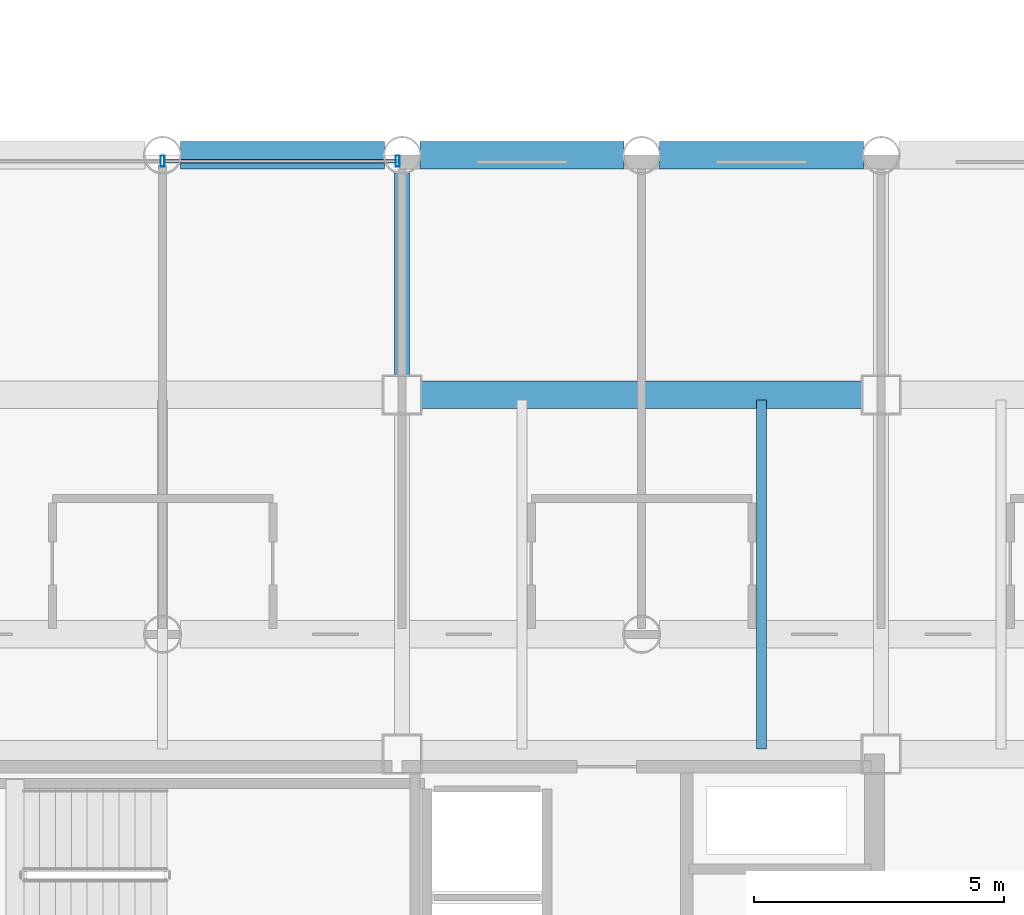
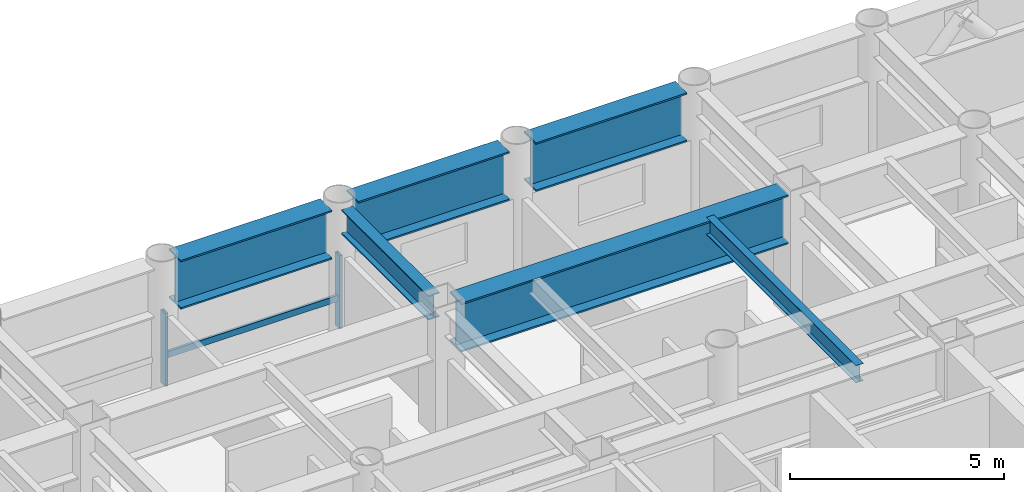
# One storey, part 12 of 24: 6 beams, 3 members, 1 element without a shape of its own.
"""IFC4 building model written with IfcOpenShell, lengths in metres."""

from ifc_helpers import new_model, si_unit, direction, frame, origin, origin_2d, place, context, subcontext, project, spatial, hollow_rectangle, i_section, extrude, material, layer, layer_set, material_profile, profile_set, type_object, element, aggregate, save


model = new_model("IFC4")

# Units and contexts
model_context = context("Model", 3, precision=1e-05, world=origin(), true_north=direction((0.0, 1.0)))
body_context = subcontext(model_context, "Body", "Model", "MODEL_VIEW")
ifc_project = project(units=[si_unit("LENGTHUNIT", "METRE"), si_unit("AREAUNIT", "SQUARE_METRE"), si_unit("VOLUMEUNIT", "CUBIC_METRE"), si_unit("PLANEANGLEUNIT", "RADIAN"), si_unit("MASSUNIT", "GRAM", prefix="KILO")], contexts=[model_context])

# Site, building, storey
site_placement = place(None, origin())
site = spatial("IfcSite", under=ifc_project, at=site_placement, CompositionType="ELEMENT")
building_placement = place(site_placement, origin())
building = spatial("IfcBuilding", under=site, at=building_placement, Name="Kallvorn Hotel Tower", CompositionType="ELEMENT")
storey_placement = place(building_placement, frame((0.0, 0.0, 30.0)))
storey = spatial("IfcBuildingStorey", under=building, at=storey_placement, Name="L05", CompositionType="ELEMENT", Elevation=30.0)

# Beams
ifc_material_1 = material(Name="Structural steel S355JR", Category="steel")
ifc_material_profile_1 = material_profile(ifc_material_1, i_section(OverallWidth=0.300048828125, OverallDepth=0.699951171875, WebThickness=0.01708984375, FlangeThickness=0.031982421875, at=origin_2d()), Name="HE 700 B")
ifc_profile_set_1 = profile_set([ifc_material_profile_1], Name="Structural steel S355JR")
beam_type_1 = type_object("IfcBeamType", Name="BM_HE700B", PredefinedType="BEAM", material=ifc_profile_set_1)
beam_1_placement = place(storey_placement, frame((4.800048828125, 14.77490234375, 3.169921875), z_axis=(0.0, 1.0, 0.0), x_axis=(-1.0, 0.0, 0.0)))
element("IfcBeam", 1, at=beam_1_placement, inside=storey, type_object=beam_type_1, Name="L06 Primary Y-Girder 118", PredefinedType="BEAM", context=body_context, shape_type="SweptSolid", body=[
    extrude(i_section(OverallWidth=0.300048828125, OverallDepth=0.699951171875, WebThickness=0.01708984375, FlangeThickness=0.031982421875, at=origin_2d()), origin(), (0.0, 0.0, 1.0), 4.069091796875),
])
ifc_material_2 = material(Name="Structural steel S355JR", Category="steel")
ifc_material_profile_2 = material_profile(ifc_material_2, i_section(OverallWidth=0.199951171875, OverallDepth=0.5, WebThickness=0.01025390625, FlangeThickness=0.01611328125, at=origin_2d()), Name="IPE 500")
ifc_profile_set_2 = profile_set([ifc_material_profile_2], Name="Structural steel S355JR")
beam_type_2 = type_object("IfcBeamType", Name="BM_IPE500", PredefinedType="JOIST", material=ifc_profile_set_2)
beam_2_placement = place(storey_placement, frame((12.0, 7.300048828125, 3.27001953125), z_axis=(0.0, 1.0, 0.0), x_axis=(-1.0, 0.0, 0.0)))
element("IfcBeam", 2, at=beam_2_placement, inside=storey, type_object=beam_type_2, Name="L06 Secondary Composite Joist 205", PredefinedType="JOIST", context=body_context, shape_type="SweptSolid", body=[
    extrude(i_section(OverallWidth=0.199951171875, OverallDepth=0.5, WebThickness=0.01025390625, FlangeThickness=0.01611328125, at=origin_2d()), origin(), (0.0, 0.0, 1.0), 7.0),
])
ifc_material_3 = material(Name="Structural steel S355JR", Category="steel")
ifc_material_profile_3 = material_profile(ifc_material_3, i_section(OverallWidth=0.550048828125, OverallDepth=1.39990234375, WebThickness=0.02490234375, FlangeThickness=0.044921875, at=origin_2d()), Name="PG 1400x550x25x45")
ifc_profile_set_3 = profile_set([ifc_material_profile_3], Name="Structural steel S355JR")
beam_type_3 = type_object("IfcBeamType", Name="BM_PG_1400", PredefinedType="BEAM", material=ifc_profile_set_3)
beam_3_placement = place(storey_placement, frame((5.175048828125, 14.39990234375, 2.820068359375), z_axis=(1.0, 0.0, 0.0), x_axis=(0.0, 1.0, 0.0)))
element("IfcBeam", 3, at=beam_3_placement, inside=storey, type_object=beam_type_3, Name="L06 Primary X-Girder 57", PredefinedType="BEAM", context=body_context, shape_type="SweptSolid", body=[
    extrude(i_section(OverallWidth=0.550048828125, OverallDepth=1.39990234375, WebThickness=0.02490234375, FlangeThickness=0.044921875, at=origin_2d()), origin(), (0.0, 0.0, 1.0), 8.849853515625),
])
beam_4_placement = place(storey_placement, frame((0.35595703125, 19.199951171875, 2.820068359375), z_axis=(1.0, 0.0, 0.0), x_axis=(0.0, 1.0, 0.0)))
element("IfcBeam", 4, at=beam_4_placement, inside=storey, type_object=beam_type_3, Name="L06 Primary X-Girder 67", PredefinedType="BEAM", context=body_context, shape_type="SweptSolid", body=[
    extrude(i_section(OverallWidth=0.550048828125, OverallDepth=1.39990234375, WebThickness=0.02490234375, FlangeThickness=0.044921875, at=origin_2d()), origin(), (0.0, 0.0, 1.0), 4.088134765625),
])
for number, where, z_axis, x_axis, name in (
    (5, (5.156005859375, 19.199951171875, 2.820068359375), (1.0, 0.0, 0.0), (0.0, 1.0, 0.0), "L06 Primary X-Girder 68"),
    (6, (9.9560546875, 19.199951171875, 2.820068359375), (1.0, 0.0, 0.0), (0.0, 1.0, 0.0), "L06 Primary X-Girder 69"),
):
    element("IfcBeam", number, at=place(storey_placement, frame(where, z_axis=z_axis, x_axis=x_axis)), inside=storey, type_object=beam_type_3, Name=name, PredefinedType="BEAM", context=body_context, shape_type="SweptSolid", body=[
        extrude(i_section(OverallWidth=0.550048828125, OverallDepth=1.39990234375, WebThickness=0.02490234375, FlangeThickness=0.044921875, at=origin_2d()), origin(), (0.0, 0.0, 1.0), 4.087890625),
    ])

# Curtain wall, members
ifc_material_4 = material(Name="Thermally broken black-anodised aluminium AA 6063-T6", Category="aluminium")
ifc_layer = layer(ifc_material_4, 0.199951171875)
ifc_layer_set = layer_set([ifc_layer], Name="CW_SYS_3_HOTEL_LOW")
curtain_wall_type = type_object("IfcCurtainWallType", Name="CW_SYS_3_HOTEL_LOW", PredefinedType="USERDEFINED", material=ifc_layer_set)
curtain_wall_placement = place(storey_placement, origin())
curtain_wall = element("IfcCurtainWall", 7, at=curtain_wall_placement, inside=storey, type_object=curtain_wall_type, Name="L05 Dark-Glass Curtain Wall CW-L05-NC", ObjectType="UNITISED CURTAIN WALL", PredefinedType="USERDEFINED")
ifc_material_5 = material(Name="Thermally broken black-anodised aluminium AA 6063-T6", Category="aluminium")
ifc_material_profile_4 = material_profile(ifc_material_5, hollow_rectangle(XDim=0.080078125, YDim=0.219970703125, WallThickness=0.0048828125, at=origin_2d()), Name="MUL 220x80")
ifc_profile_set_4 = profile_set([ifc_material_profile_4], Name="Thermally broken black-anodised aluminium AA 6063-T6")
member_type_1 = type_object("IfcMemberType", Name="CW_MULLION_220x80", PredefinedType="MULLION", material=ifc_profile_set_4)
member_1_placement = place(storey_placement, frame((0.0, 19.080078125, 0.02001953125), z_axis=(0.0, 0.0, 1.0), x_axis=(1.0, 0.0, 0.0)))
member_1 = element("IfcMember", 8, at=member_1_placement, type_object=member_type_1, Name="CW-L05-NC Mullion 01", PredefinedType="MULLION", context=body_context, shape_type="SweptSolid", body=[
    extrude(hollow_rectangle(XDim=0.080078125, YDim=0.219970703125, WallThickness=0.0048828125, at=origin_2d()), origin(), (0.0, 0.0, 1.0), 2.080078125),
])
member_2_placement = place(storey_placement, frame((4.7099609375, 19.080078125, 0.02001953125), z_axis=(0.0, 0.0, 1.0), x_axis=(1.0, 0.0, 0.0)))
member_2 = element("IfcMember", 9, at=member_2_placement, type_object=member_type_1, Name="CW-L05-NC Mullion 02", PredefinedType="MULLION", context=body_context, shape_type="SweptSolid", body=[
    extrude(hollow_rectangle(XDim=0.080078125, YDim=0.219970703125, WallThickness=0.0048828125, at=origin_2d()), origin(), (0.0, 0.0, 1.0), 2.080078125),
])
ifc_material_6 = material(Name="Thermally broken black-anodised aluminium AA 6063-T6", Category="aluminium")
ifc_material_profile_5 = material_profile(ifc_material_6, hollow_rectangle(XDim=0.070068359375, YDim=0.179931640625, WallThickness=0.00390625, at=origin_2d()), Name="TRN 180x70")
ifc_profile_set_5 = profile_set([ifc_material_profile_5], Name="Thermally broken black-anodised aluminium AA 6063-T6")
member_type_2 = type_object("IfcMemberType", Name="CW_TRANSOM_180x70", PredefinedType="USERDEFINED", material=ifc_profile_set_5)
member_3_placement = place(storey_placement, frame((0.0400390625, 19.080078125, 0.85009765625), z_axis=(1.0, 0.0, 0.0), x_axis=(0.0, 1.0, 0.0)))
member_3 = element("IfcMember", 10, at=member_3_placement, type_object=member_type_2, Name="CW-L05-NC Transom 01M", ObjectType="TRANSOM", PredefinedType="USERDEFINED", context=body_context, shape_type="SweptSolid", body=[
    extrude(hollow_rectangle(XDim=0.070068359375, YDim=0.179931640625, WallThickness=0.00390625, at=origin_2d()), origin(), (0.0, 0.0, 1.0), 4.669921875),
])
aggregate(curtain_wall, [member_1, member_2, member_3])

save(model, "model.ifc")
